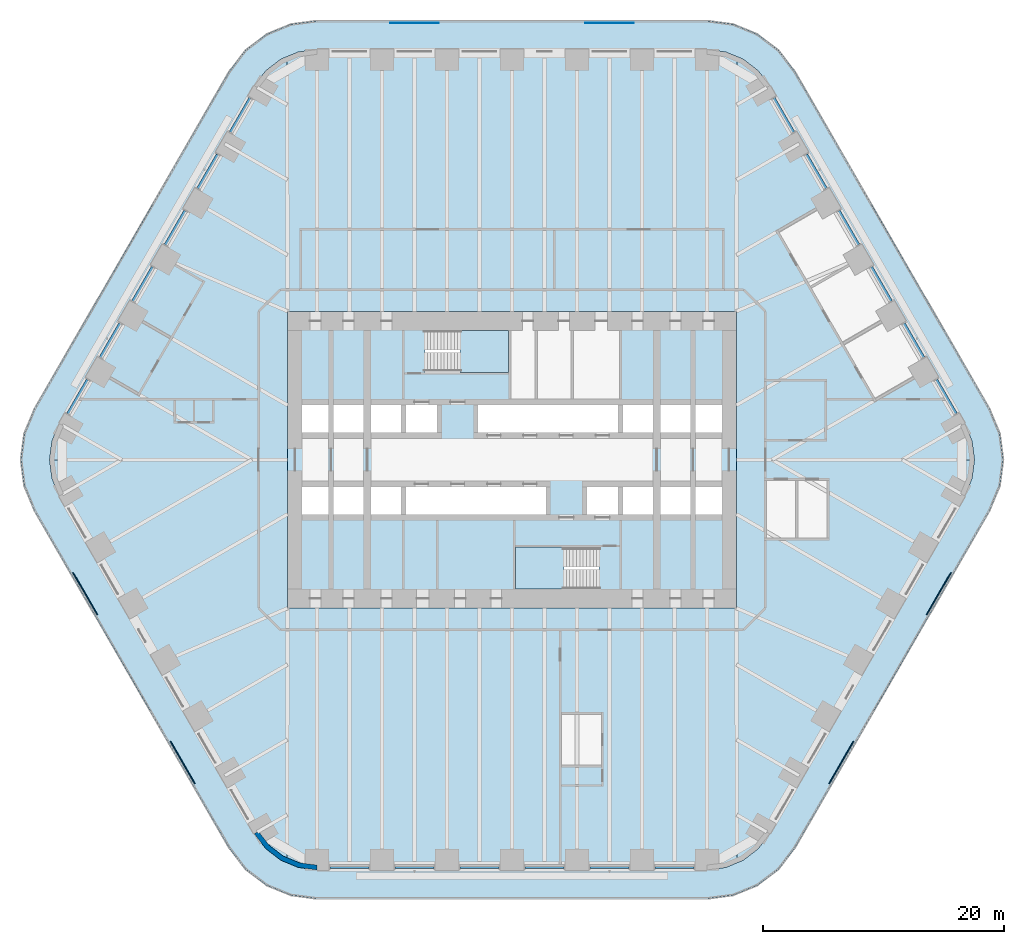
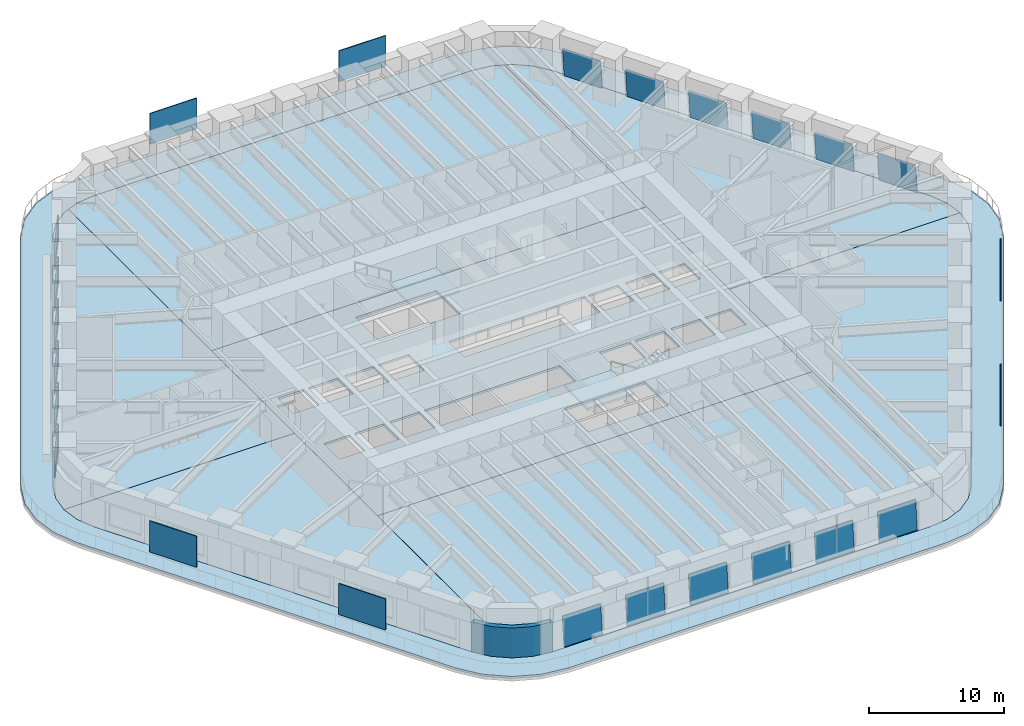
# One storey, part 15 of 23: 24 plates, 10 slabs, 1 wall, 20 elements without a shape of their own.
"""IFC4 building model written with IfcOpenShell, lengths in metres."""

from ifc_helpers import new_model, si_unit, direction, frame, origin, origin_2d, place, context, subcontext, project, spatial, polyline, rectangle, outline, extrude, material, layer, layer_set, type_object, element, aggregate, save


model = new_model("IFC4")

# Units and contexts
model_context = context("Model", 3, precision=1e-05, world=origin(), true_north=direction((0.0, 1.0)))
body_context = subcontext(model_context, "Body", "Model", "MODEL_VIEW")
ifc_project = project(units=[si_unit("LENGTHUNIT", "METRE"), si_unit("AREAUNIT", "SQUARE_METRE"), si_unit("VOLUMEUNIT", "CUBIC_METRE"), si_unit("PLANEANGLEUNIT", "RADIAN"), si_unit("MASSUNIT", "GRAM", prefix="KILO")], contexts=[model_context])

# Site, building, storey
site_placement = place(None, origin())
site = spatial("IfcSite", under=ifc_project, at=site_placement, CompositionType="ELEMENT")
building_placement = place(site_placement, origin())
building = spatial("IfcBuilding", under=site, at=building_placement, Name="Tarfa Lantern Tower", CompositionType="ELEMENT")
storey_placement = place(building_placement, frame((0.0, 0.0, 44.5)))
storey = spatial("IfcBuildingStorey", under=building, at=storey_placement, Name="L09", CompositionType="ELEMENT", Elevation=44.5)

# Slab
ifc_material_1 = material(Name="Concrete C40/50", Category="concrete")
ifc_layer_1 = layer(ifc_material_1, 0.199951171875)
ifc_layer_set_1 = layer_set([ifc_layer_1], Name="BS2 BALCONY SLAB 200")
slab_type_1 = type_object("IfcSlabType", Name="BS2 BALCONY SLAB 200", PredefinedType="FLOOR", material=ifc_layer_set_1)
slab_1_placement = place(storey_placement, frame((0.0, 0.0, -0.199951171875)))
element("IfcSlab", 1, at=slab_1_placement, inside=storey, type_object=slab_type_1, Name="Balcony L09", PredefinedType="FLOOR", context=body_context, shape_type="SweptSolid", body=[
    extrude(outline(polyline([(39.606201171875, 4.199951171875), (23.4404296875, 32.199951171875), (22.10546875, 33.939697265625), (20.36572265625, 35.274658203125), (18.33984375, 36.11376953125), (16.165771484375, 36.39990234375), (-16.165771484375, 36.39990234375), (-18.33984375, 36.11376953125), (-20.36572265625, 35.274658203125), (-22.10546875, 33.939697265625), (-23.4404296875, 32.199951171875), (-39.606201171875, 4.199951171875), (-40.4453125, 2.174072265625), (-40.731689453125, 0.0), (-40.4453125, -2.174072265625), (-39.606201171875, -4.199951171875), (-23.4404296875, -32.199951171875), (-22.10546875, -33.939697265625), (-20.36572265625, -35.274658203125), (-18.33984375, -36.11376953125), (-16.165771484375, -36.39990234375), (16.165771484375, -36.39990234375), (18.33984375, -36.11376953125), (20.36572265625, -35.274658203125), (22.10546875, -33.939697265625), (23.4404296875, -32.199951171875), (39.606201171875, -4.199951171875), (40.4453125, -2.174072265625), (40.731689453125, 0.0), (40.4453125, 2.174072265625), (39.606201171875, 4.199951171875)]), holes=[polyline([(37.52783203125, 3.0), (21.362060546875, 31.0), (20.408447265625, 32.24267578125), (19.165771484375, 33.196044921875), (17.71875, 33.795654296875), (16.165771484375, 34.0), (-16.165771484375, 34.0), (-17.71875, 33.795654296875), (-19.165771484375, 33.196044921875), (-20.408447265625, 32.24267578125), (-21.362060546875, 31.0), (-37.52783203125, 3.0), (-38.127197265625, 1.552978515625), (-38.33154296875, 0.0), (-38.127197265625, -1.552978515625), (-37.52783203125, -3.0), (-21.362060546875, -31.0), (-20.408447265625, -32.24267578125), (-19.165771484375, -33.196044921875), (-17.71875, -33.795654296875), (-16.165771484375, -34.0), (16.165771484375, -34.0), (17.71875, -33.795654296875), (19.165771484375, -33.196044921875), (20.408447265625, -32.24267578125), (21.362060546875, -31.0), (37.52783203125, -3.0), (38.127197265625, -1.552978515625), (38.33154296875, 0.0), (38.127197265625, 1.552978515625), (37.52783203125, 3.0)])]), origin(), (0.0, 0.0, 1.0), 0.199951171875),
])

# Curtain wall, plate
ifc_material_2 = material(Name="Aluminium framed curtain wall", Category="aluminium")
curtain_wall_type = type_object("IfcCurtainWallType", Name="CW1 CANTED GLAZING LOW ZONE 2700", PredefinedType="USERDEFINED", material=ifc_material_2)
curtain_wall_1_placement = place(storey_placement, origin())
curtain_wall_1 = element("IfcCurtainWall", 2, at=curtain_wall_1_placement, inside=storey, type_object=curtain_wall_type, Name="CW1 NE L09", ObjectType="CURTAIN WALL", PredefinedType="USERDEFINED")
ifc_material_3 = material(Name="Laminated double glazing", Category="glass")
ifc_layer_2 = layer(ifc_material_3, 0.028076171875)
ifc_layer_set_2 = layer_set([ifc_layer_2], Name="CWP1 DOUBLE GLAZED PANEL")
plate_type_1 = type_object("IfcPlateType", Name="CWP1 DOUBLE GLAZED PANEL", PredefinedType="CURTAIN_PANEL", material=ifc_layer_set_2)
plate_1_placement = place(storey_placement, frame((36.90869140625, 3.872314453125, 0.0), z_axis=(0.862338266797, 0.497864384763, 0.09221587717), x_axis=(-0.499995082658, 0.86602824279, 2.978908e-06)))
plate_1 = element("IfcPlate", 3, at=plate_1_placement, type_object=plate_type_1, Name="CW1 panel 1.1", PredefinedType="CURTAIN_PANEL", context=body_context, shape_type="SweptSolid", body=[
    extrude(outline(polyline([(0.0, 0.0), (3.258639560562134, 0.0), (3.2585208536427297, 2.646275738901332), (3.3621925729925773e-06, 2.646295235988971), (0.0, 0.0)])), origin(), (0.0, 0.0, -1.0), 0.028076171875),
])
aggregate(curtain_wall_1, [plate_1])

curtain_wall_2_placement = place(storey_placement, origin())
curtain_wall_2 = element("IfcCurtainWall", 4, at=curtain_wall_2_placement, inside=storey, type_object=curtain_wall_type, Name="CW1 NE L09", ObjectType="CURTAIN WALL", PredefinedType="USERDEFINED")
plate_2_placement = place(storey_placement, frame((34.21435546875, 8.5390625, 0.0), z_axis=(0.862325290636, 0.497894194109, 0.092176269198), x_axis=(-0.500022939057, 0.866012159509, 0.0)))
plate_2 = element("IfcPlate", 5, at=plate_2_placement, type_object=plate_type_1, Name="CW1 panel 1.1", PredefinedType="CURTAIN_PANEL", context=body_context, shape_type="SweptSolid", body=[
    extrude(outline(polyline([(0.0, 0.0), (3.2586395622623687, 0.0), (3.2585208519425555, 2.6462757409948594), (-0.0001187103198132533, 2.6462757409948594), (0.0, 0.0)])), origin(), (0.0, 0.0, -1.0), 0.028076171875),
])
aggregate(curtain_wall_2, [plate_2])

curtain_wall_3_placement = place(storey_placement, origin())
curtain_wall_3 = element("IfcCurtainWall", 6, at=curtain_wall_3_placement, inside=storey, type_object=curtain_wall_type, Name="CW1 NE L09", ObjectType="CURTAIN WALL", PredefinedType="USERDEFINED")
plate_3_placement = place(storey_placement, frame((31.52001953125, 13.20556640625, 0.0), z_axis=(0.862341934097, 0.49786650205, 0.092170140692), x_axis=(-0.499994605049, 0.866028518533, -2.977555e-06)))
plate_3 = element("IfcPlate", 7, at=plate_3_placement, type_object=plate_type_1, Name="CW1 panel 1.1", PredefinedType="CURTAIN_PANEL", context=body_context, shape_type="SweptSolid", body=[
    extrude(outline(polyline([(0.0, 0.0), (3.258517491508472, 2.7755575615628914e-17), (3.2587164564684317, 2.646283977845527), (7.689596458644864e-05, 2.6462644896978658), (0.0, 0.0)])), origin(), (0.0, 0.0, -1.0), 0.028076171875),
])
aggregate(curtain_wall_3, [plate_3])

curtain_wall_4_placement = place(storey_placement, origin())
curtain_wall_4 = element("IfcCurtainWall", 8, at=curtain_wall_4_placement, inside=storey, type_object=curtain_wall_type, Name="CW1 NE L09", ObjectType="CURTAIN WALL", PredefinedType="USERDEFINED")
plate_4_placement = place(storey_placement, frame((28.82568359375, 17.872314453125, 0.0), z_axis=(0.862338266797, 0.497864384763, 0.09221587717), x_axis=(-0.499994604812, 0.86602851867, -2.97902e-06)))
plate_4 = element("IfcPlate", 9, at=plate_4_placement, type_object=plate_type_1, Name="CW1 panel 1.1", PredefinedType="CURTAIN_PANEL", context=body_context, shape_type="SweptSolid", body=[
    extrude(outline(polyline([(0.0, 0.0), (3.2585174915084862, -2.7755575615628914e-17), (3.2585050197979823, 2.646295235961718), (-0.000134540705819584, 2.646275738143688), (0.0, 0.0)])), origin(), (0.0, 0.0, -1.0), 0.028076171875),
])
aggregate(curtain_wall_4, [plate_4])

curtain_wall_5_placement = place(storey_placement, origin())
curtain_wall_5 = element("IfcCurtainWall", 10, at=curtain_wall_5_placement, inside=storey, type_object=curtain_wall_type, Name="CW1 NE L09", ObjectType="CURTAIN WALL", PredefinedType="USERDEFINED")
plate_5_placement = place(storey_placement, frame((26.13134765625, 22.5390625, 0.0), z_axis=(0.862338266797, 0.497864384763, 0.09221587717), x_axis=(-0.499994604812, 0.86602851867, -2.97902e-06)))
plate_5 = element("IfcPlate", 11, at=plate_5_placement, type_object=plate_type_1, Name="CW1 panel 1.1", PredefinedType="CURTAIN_PANEL", context=body_context, shape_type="SweptSolid", body=[
    extrude(outline(polyline([(0.0, 0.0), (3.2585174915084862, -2.7755575615628914e-17), (3.2585050197979823, 2.646295235961718), (-0.000134540705819584, 2.646275738143688), (0.0, 0.0)])), origin(), (0.0, 0.0, -1.0), 0.028076171875),
])
aggregate(curtain_wall_5, [plate_5])

curtain_wall_6_placement = place(storey_placement, origin())
curtain_wall_6 = element("IfcCurtainWall", 12, at=curtain_wall_6_placement, inside=storey, type_object=curtain_wall_type, Name="CW1 NE L09", ObjectType="CURTAIN WALL", PredefinedType="USERDEFINED")
plate_6_placement = place(storey_placement, frame((23.437255859375, 27.20556640625, 0.0), z_axis=(0.862341934097, 0.49786650205, 0.092170140692), x_axis=(-0.499995082421, 0.866028242926, 2.977443e-06)))
plate_6 = element("IfcPlate", 13, at=plate_6_placement, type_object=plate_type_1, Name="CW1 panel 1.1", PredefinedType="CURTAIN_PANEL", context=body_context, shape_type="SweptSolid", body=[
    extrude(outline(polyline([(0.0, 0.0), (3.2586395605621195, -2.7755575615628914e-17), (3.2587322823927347, 2.64626448919067), (0.0002147909425344405, 2.6462839766083026), (0.0, 0.0)])), origin(), (0.0, 0.0, -1.0), 0.028076171875),
])
aggregate(curtain_wall_6, [plate_6])

curtain_wall_7_placement = place(storey_placement, origin())
curtain_wall_7 = element("IfcCurtainWall", 14, at=curtain_wall_7_placement, inside=storey, type_object=curtain_wall_type, Name="CW1 NW L09", ObjectType="CURTAIN WALL", PredefinedType="USERDEFINED")
plate_7_placement = place(storey_placement, frame((-21.807861328125, 30.027587890625, 0.0), z_axis=(-0.862341934097, 0.49786650205, 0.092170140692), x_axis=(-0.499995082421, -0.866028242926, -2.977443e-06)))
plate_7 = element("IfcPlate", 15, at=plate_7_placement, type_object=plate_type_1, Name="CW1 panel 1.1", PredefinedType="CURTAIN_PANEL", context=body_context, shape_type="SweptSolid", body=[
    extrude(outline(polyline([(0.0, 0.0), (3.2586395605621195, 2.7755575615628914e-17), (3.2584247696195847, 2.6462839766083026), (-9.272183061532521e-05, 2.64626448919067), (0.0, 0.0)])), origin(), (0.0, 0.0, -1.0), 0.028076171875),
])
aggregate(curtain_wall_7, [plate_7])

curtain_wall_8_placement = place(storey_placement, origin())
curtain_wall_8 = element("IfcCurtainWall", 16, at=curtain_wall_8_placement, inside=storey, type_object=curtain_wall_type, Name="CW1 NW L09", ObjectType="CURTAIN WALL", PredefinedType="USERDEFINED")
plate_8_placement = place(storey_placement, frame((-24.502197265625, 25.361083984375, 0.0), z_axis=(-0.862338266797, 0.497864384763, 0.09221587717), x_axis=(-0.499994604812, -0.86602851867, 2.97902e-06)))
plate_8 = element("IfcPlate", 17, at=plate_8_placement, type_object=plate_type_1, Name="CW1 panel 1.1", PredefinedType="CURTAIN_PANEL", context=body_context, shape_type="SweptSolid", body=[
    extrude(outline(polyline([(0.0, 0.0), (3.2585174915084862, 2.7755575615628914e-17), (3.2586520322143055, 2.646275738143688), (1.2471710504126e-05, 2.646295235961718), (0.0, 0.0)])), origin(), (0.0, 0.0, -1.0), 0.028076171875),
])
aggregate(curtain_wall_8, [plate_8])

curtain_wall_9_placement = place(storey_placement, origin())
curtain_wall_9 = element("IfcCurtainWall", 18, at=curtain_wall_9_placement, inside=storey, type_object=curtain_wall_type, Name="CW1 NW L09", ObjectType="CURTAIN WALL", PredefinedType="USERDEFINED")
plate_9_placement = place(storey_placement, frame((-27.196533203125, 20.6943359375, 0.0), z_axis=(-0.862338266797, 0.497864384763, 0.09221587717), x_axis=(-0.499994604812, -0.86602851867, 2.97902e-06)))
plate_9 = element("IfcPlate", 19, at=plate_9_placement, type_object=plate_type_1, Name="CW1 panel 1.1", PredefinedType="CURTAIN_PANEL", context=body_context, shape_type="SweptSolid", body=[
    extrude(outline(polyline([(0.0, 0.0), (3.2585174915084862, 2.7755575615628914e-17), (3.2586520322143055, 2.646275738143688), (1.2471710504126e-05, 2.646295235961718), (0.0, 0.0)])), origin(), (0.0, 0.0, -1.0), 0.028076171875),
])
aggregate(curtain_wall_9, [plate_9])

curtain_wall_10_placement = place(storey_placement, origin())
curtain_wall_10 = element("IfcCurtainWall", 20, at=curtain_wall_10_placement, inside=storey, type_object=curtain_wall_type, Name="CW1 NW L09", ObjectType="CURTAIN WALL", PredefinedType="USERDEFINED")
plate_10_placement = place(storey_placement, frame((-29.890869140625, 16.027587890625, 0.0), z_axis=(-0.862341934097, 0.49786650205, 0.092170140692), x_axis=(-0.499994605049, -0.866028518533, 2.977555e-06)))
plate_10 = element("IfcPlate", 21, at=plate_10_placement, type_object=plate_type_1, Name="CW1 panel 1.1", PredefinedType="CURTAIN_PANEL", context=body_context, shape_type="SweptSolid", body=[
    extrude(outline(polyline([(0.0, 0.0), (3.258517491508472, -2.7755575615628914e-17), (3.258440595543886, 2.6462644896978658), (-0.00019896495995976314, 2.646283977845527), (0.0, 0.0)])), origin(), (0.0, 0.0, -1.0), 0.028076171875),
])
aggregate(curtain_wall_10, [plate_10])

curtain_wall_11_placement = place(storey_placement, origin())
curtain_wall_11 = element("IfcCurtainWall", 22, at=curtain_wall_11_placement, inside=storey, type_object=curtain_wall_type, Name="CW1 NW L09", ObjectType="CURTAIN WALL", PredefinedType="USERDEFINED")
plate_11_placement = place(storey_placement, frame((-32.5849609375, 11.361083984375, 0.0), z_axis=(-0.862325290636, 0.497894194109, 0.092176269198), x_axis=(-0.500022939057, -0.866012159509, 0.0)))
plate_11 = element("IfcPlate", 23, at=plate_11_placement, type_object=plate_type_1, Name="CW1 panel 1.1", PredefinedType="CURTAIN_PANEL", context=body_context, shape_type="SweptSolid", body=[
    extrude(outline(polyline([(0.0, 0.0), (3.2586395622623687, 0.0), (3.258758272582182, 2.6462757409948594), (0.0001187103198132533, 2.6462757409948594), (0.0, 0.0)])), origin(), (0.0, 0.0, -1.0), 0.028076171875),
])
aggregate(curtain_wall_11, [plate_11])

curtain_wall_12_placement = place(storey_placement, origin())
curtain_wall_12 = element("IfcCurtainWall", 24, at=curtain_wall_12_placement, inside=storey, type_object=curtain_wall_type, Name="CW1 NW L09", ObjectType="CURTAIN WALL", PredefinedType="USERDEFINED")
plate_12_placement = place(storey_placement, frame((-35.279296875, 6.6943359375, 0.0), z_axis=(-0.862338266797, 0.497864384763, 0.09221587717), x_axis=(-0.499995082658, -0.86602824279, -2.978908e-06)))
plate_12 = element("IfcPlate", 25, at=plate_12_placement, type_object=plate_type_1, Name="CW1 panel 1.1", PredefinedType="CURTAIN_PANEL", context=body_context, shape_type="SweptSolid", body=[
    extrude(outline(polyline([(0.0, 0.0), (3.258639560562134, 0.0), (3.258636198369561, 2.646295235988971), (0.00011870691940396534, 2.646275738901332), (0.0, 0.0)])), origin(), (0.0, 0.0, -1.0), 0.028076171875),
])
aggregate(curtain_wall_12, [plate_12])

curtain_wall_13_placement = place(storey_placement, origin())
curtain_wall_13 = element("IfcCurtainWall", 26, at=curtain_wall_13_placement, inside=storey, type_object=curtain_wall_type, Name="CW1 S L09", ObjectType="CURTAIN WALL", PredefinedType="USERDEFINED")
plate_13_placement = place(storey_placement, frame((-15.100830078125, -33.89990234375, 0.0), z_axis=(0.0, -0.995743653657, 0.092166025202), x_axis=(1.0, 0.0, 0.0)))
plate_13 = element("IfcPlate", 27, at=plate_13_placement, type_object=plate_type_1, Name="CW1 panel 1.1", PredefinedType="CURTAIN_PANEL", context=body_context, shape_type="SweptSolid", body=[
    extrude(outline(polyline([(0.0, 0.0), (3.258544921875, 0.0), (3.258544921875, 2.6462732209712594), (0.0, 2.6462732209712594), (0.0, 0.0)])), origin(), (0.0, 0.0, -1.0), 0.028076171875),
])
aggregate(curtain_wall_13, [plate_13])

curtain_wall_14_placement = place(storey_placement, origin())
curtain_wall_14 = element("IfcCurtainWall", 28, at=curtain_wall_14_placement, inside=storey, type_object=curtain_wall_type, Name="CW1 S L09", ObjectType="CURTAIN WALL", PredefinedType="USERDEFINED")
plate_14_placement = place(storey_placement, frame((-9.712158203125, -33.89990234375, 0.0), z_axis=(0.0, -0.995743653657, 0.092166025202), x_axis=(1.0, 0.0, 0.0)))
plate_14 = element("IfcPlate", 29, at=plate_14_placement, type_object=plate_type_1, Name="CW1 panel 1.1", PredefinedType="CURTAIN_PANEL", context=body_context, shape_type="SweptSolid", body=[
    extrude(outline(polyline([(0.0, 0.0), (3.258544921875, 0.0), (3.258544921875, 2.6462732209712594), (0.0, 2.6462732209712594), (0.0, 0.0)])), origin(), (0.0, 0.0, -1.0), 0.028076171875),
])
aggregate(curtain_wall_14, [plate_14])

curtain_wall_15_placement = place(storey_placement, origin())
curtain_wall_15 = element("IfcCurtainWall", 30, at=curtain_wall_15_placement, inside=storey, type_object=curtain_wall_type, Name="CW1 S L09", ObjectType="CURTAIN WALL", PredefinedType="USERDEFINED")
plate_15_placement = place(storey_placement, frame((-4.323486328125, -33.89990234375, 0.0), z_axis=(0.0, -0.995743653657, 0.092166025202), x_axis=(1.0, 0.0, 0.0)))
plate_15 = element("IfcPlate", 31, at=plate_15_placement, type_object=plate_type_1, Name="CW1 panel 1.1", PredefinedType="CURTAIN_PANEL", context=body_context, shape_type="SweptSolid", body=[
    extrude(outline(polyline([(0.0, 0.0), (3.258544921875, 0.0), (3.258544921875, 2.6462732209712594), (0.0, 2.6462732209712594), (0.0, 0.0)])), origin(), (0.0, 0.0, -1.0), 0.028076171875),
])
aggregate(curtain_wall_15, [plate_15])

curtain_wall_16_placement = place(storey_placement, origin())
curtain_wall_16 = element("IfcCurtainWall", 32, at=curtain_wall_16_placement, inside=storey, type_object=curtain_wall_type, Name="CW1 S L09", ObjectType="CURTAIN WALL", PredefinedType="USERDEFINED")
plate_16_placement = place(storey_placement, frame((1.06494140625, -33.89990234375, 0.0), z_axis=(0.0, -0.995743653657, 0.092166025202), x_axis=(1.0, 0.0, 0.0)))
plate_16 = element("IfcPlate", 33, at=plate_16_placement, type_object=plate_type_1, Name="CW1 panel 1.1", PredefinedType="CURTAIN_PANEL", context=body_context, shape_type="SweptSolid", body=[
    extrude(outline(polyline([(0.0, 0.0), (3.258544921875, 0.0), (3.258544921875, 2.6462732209712594), (0.0, 2.6462732209712594), (0.0, 0.0)])), origin(), (0.0, 0.0, -1.0), 0.028076171875),
])
aggregate(curtain_wall_16, [plate_16])

curtain_wall_17_placement = place(storey_placement, origin())
curtain_wall_17 = element("IfcCurtainWall", 34, at=curtain_wall_17_placement, inside=storey, type_object=curtain_wall_type, Name="CW1 S L09", ObjectType="CURTAIN WALL", PredefinedType="USERDEFINED")
plate_17_placement = place(storey_placement, frame((6.45361328125, -33.89990234375, 0.0), z_axis=(0.0, -0.995743653657, 0.092166025202), x_axis=(1.0, 0.0, 0.0)))
plate_17 = element("IfcPlate", 35, at=plate_17_placement, type_object=plate_type_1, Name="CW1 panel 1.1", PredefinedType="CURTAIN_PANEL", context=body_context, shape_type="SweptSolid", body=[
    extrude(outline(polyline([(0.0, 0.0), (3.258544921875, 0.0), (3.258544921875, 2.6462732209712594), (0.0, 2.6462732209712594), (0.0, 0.0)])), origin(), (0.0, 0.0, -1.0), 0.028076171875),
])
aggregate(curtain_wall_17, [plate_17])

curtain_wall_18_placement = place(storey_placement, origin())
curtain_wall_18 = element("IfcCurtainWall", 36, at=curtain_wall_18_placement, inside=storey, type_object=curtain_wall_type, Name="CW1 S L09", ObjectType="CURTAIN WALL", PredefinedType="USERDEFINED")
plate_18_placement = place(storey_placement, frame((11.84228515625, -33.89990234375, 0.0), z_axis=(0.0, -0.995743653657, 0.092166025202), x_axis=(1.0, 0.0, 0.0)))
plate_18 = element("IfcPlate", 37, at=plate_18_placement, type_object=plate_type_1, Name="CW1 panel 1.1", PredefinedType="CURTAIN_PANEL", context=body_context, shape_type="SweptSolid", body=[
    extrude(outline(polyline([(0.0, 0.0), (3.258544921875, 0.0), (3.258544921875, 2.6462732209712594), (0.0, 2.6462732209712594), (0.0, 0.0)])), origin(), (0.0, 0.0, -1.0), 0.028076171875),
])
aggregate(curtain_wall_18, [plate_18])

# Slabs
ifc_layer_3 = layer(ifc_material_1, 0.199951171875)
ifc_layer_set_3 = layer_set([ifc_layer_3], Name="FS1 FLOOR SLAB 200")
slab_type_2 = type_object("IfcSlabType", Name="FS1 FLOOR SLAB 200", PredefinedType="FLOOR", material=ifc_layer_set_3)
slab_2_placement = place(storey_placement, frame((0.0, 0.0, -0.199951171875)))
element("IfcSlab", 38, at=slab_2_placement, inside=storey, type_object=slab_type_2, Name="Floor slab L09", PredefinedType="FLOOR", context=body_context, shape_type="SweptSolid", body=[
    extrude(outline(polyline([(-18.60009765625, -12.300048828125), (18.60009765625, -12.300048828125), (18.60009765625, 12.300048828125), (-18.60009765625, 12.300048828125), (-18.60009765625, -12.300048828125)]), holes=[polyline([(-17.39990234375, 2.25), (-15.199951171875, 2.25), (-15.199951171875, 4.550048828125), (-17.39990234375, 4.550048828125), (-17.39990234375, 2.25)]), polyline([(-14.800048828125, 2.25), (-12.300048828125, 2.25), (-12.300048828125, 4.550048828125), (-14.800048828125, 4.550048828125), (-14.800048828125, 2.25)]), polyline([(-11.699951171875, 2.25), (-9.199951171875, 2.25), (-9.199951171875, 4.550048828125), (-11.699951171875, 4.550048828125), (-11.699951171875, 2.25)]), polyline([(-8.800048828125, 2.25), (-6.199951171875, 2.25), (-6.199951171875, 4.550048828125), (-8.800048828125, 4.550048828125), (-8.800048828125, 2.25)]), polyline([(-2.800048828125, 2.25), (8.800048828125, 2.25), (8.800048828125, 4.550048828125), (-2.800048828125, 4.550048828125), (-2.800048828125, 2.25)]), polyline([(9.199951171875, 2.25), (11.699951171875, 2.25), (11.699951171875, 4.550048828125), (9.199951171875, 4.550048828125), (9.199951171875, 2.25)]), polyline([(12.300048828125, 2.25), (14.800048828125, 2.25), (14.800048828125, 4.550048828125), (12.300048828125, 4.550048828125), (12.300048828125, 2.25)]), polyline([(15.199951171875, 2.25), (17.39990234375, 2.25), (17.39990234375, 4.550048828125), (15.199951171875, 4.550048828125), (15.199951171875, 2.25)]), polyline([(17.39990234375, -2.25), (15.199951171875, -2.25), (15.199951171875, -4.550048828125), (17.39990234375, -4.550048828125), (17.39990234375, -2.25)]), polyline([(14.800048828125, -2.25), (12.300048828125, -2.25), (12.300048828125, -4.550048828125), (14.800048828125, -4.550048828125), (14.800048828125, -2.25)]), polyline([(11.699951171875, -2.25), (9.199951171875, -2.25), (9.199951171875, -4.550048828125), (11.699951171875, -4.550048828125), (11.699951171875, -2.25)]), polyline([(8.800048828125, -2.25), (6.199951171875, -2.25), (6.199951171875, -4.550048828125), (8.800048828125, -4.550048828125), (8.800048828125, -2.25)]), polyline([(2.800048828125, -2.25), (-8.800048828125, -2.25), (-8.800048828125, -4.550048828125), (2.800048828125, -4.550048828125), (2.800048828125, -2.25)]), polyline([(-9.199951171875, -2.25), (-11.699951171875, -2.25), (-11.699951171875, -4.550048828125), (-9.199951171875, -4.550048828125), (-9.199951171875, -2.25)]), polyline([(-12.300048828125, -2.25), (-14.800048828125, -2.25), (-14.800048828125, -4.550048828125), (-12.300048828125, -4.550048828125), (-12.300048828125, -2.25)]), polyline([(-15.199951171875, -2.25), (-17.39990234375, -2.25), (-17.39990234375, -4.550048828125), (-15.199951171875, -4.550048828125), (-15.199951171875, -2.25)]), polyline([(-7.199951171875, 7.25), (-0.300048828125, 7.25), (-0.300048828125, 10.699951171875), (-7.199951171875, 10.699951171875), (-7.199951171875, 7.25)]), polyline([(7.199951171875, -7.25), (0.300048828125, -7.25), (0.300048828125, -10.699951171875), (7.199951171875, -10.699951171875), (7.199951171875, -7.25)])]), origin(), (0.0, 0.0, 1.0), 0.199951171875),
])
slab_3_placement = place(storey_placement, frame((0.0, 0.0, -0.199951171875)))
element("IfcSlab", 39, at=slab_3_placement, inside=storey, type_object=slab_type_2, Name="Floor slab L09 NE bay", PredefinedType="FLOOR", context=body_context, shape_type="SweptSolid", body=[
    extrude(outline(polyline([(37.52587890625, 2.9990234375), (21.3603515625, 30.998779296875), (20.406982421875, 32.2412109375), (19.164794921875, 33.1943359375), (18.64697265625, 33.408935546875), (18.60205078125, 12.300048828125), (18.60205078125, 0.001953125), (38.329345703125, 0.001953125), (38.125244140625, 1.552490234375), (37.52587890625, 2.9990234375)])), origin(), (0.0, 0.0, 1.0), 0.199951171875),
])
slab_4_placement = place(storey_placement, frame((0.0, 0.0, -0.199951171875)))
element("IfcSlab", 40, at=slab_4_placement, inside=storey, type_object=slab_type_2, Name="Floor slab L09 N bay", PredefinedType="FLOOR", context=body_context, shape_type="SweptSolid", body=[
    extrude(outline(polyline([(-18.597900390625, 12.302001953125), (18.597900390625, 12.302001953125), (18.64306640625, 33.41064453125), (17.71826171875, 33.793701171875), (16.165771484375, 33.998046875), (-16.165771484375, 33.998046875), (-17.71826171875, 33.793701171875), (-18.64306640625, 33.41064453125), (-18.597900390625, 12.302001953125)])), origin(), (0.0, 0.0, 1.0), 0.199951171875),
])
slab_5_placement = place(storey_placement, frame((0.0, 0.0, -0.199951171875)))
element("IfcSlab", 41, at=slab_5_placement, inside=storey, type_object=slab_type_2, Name="Floor slab L09 NW bay", PredefinedType="FLOOR", context=body_context, shape_type="SweptSolid", body=[
    extrude(outline(polyline([(-18.60205078125, 0.001953125), (-18.60205078125, 12.300048828125), (-18.64697265625, 33.408935546875), (-19.164794921875, 33.1943359375), (-20.406982421875, 32.2412109375), (-21.3603515625, 30.998779296875), (-37.52587890625, 2.9990234375), (-38.125244140625, 1.552490234375), (-38.329345703125, 0.001953125), (-18.60205078125, 0.001953125)])), origin(), (0.0, 0.0, 1.0), 0.199951171875),
])
slab_6_placement = place(storey_placement, frame((0.0, 0.0, -0.199951171875)))
element("IfcSlab", 42, at=slab_6_placement, inside=storey, type_object=slab_type_2, Name="Floor slab L09 SW bay", PredefinedType="FLOOR", context=body_context, shape_type="SweptSolid", body=[
    extrude(outline(polyline([(-18.60205078125, -12.300048828125), (-18.60205078125, -0.001953125), (-38.329345703125, -0.001953125), (-38.125244140625, -1.552490234375), (-37.52587890625, -2.9990234375), (-21.3603515625, -30.998779296875), (-20.406982421875, -32.2412109375), (-19.164794921875, -33.1943359375), (-18.64697265625, -33.408935546875), (-18.60205078125, -12.300048828125)])), origin(), (0.0, 0.0, 1.0), 0.199951171875),
])
slab_7_placement = place(storey_placement, frame((0.0, 0.0, -0.199951171875)))
element("IfcSlab", 43, at=slab_7_placement, inside=storey, type_object=slab_type_2, Name="Floor slab L09 S bay", PredefinedType="FLOOR", context=body_context, shape_type="SweptSolid", body=[
    extrude(outline(polyline([(18.597900390625, -12.302001953125), (-18.597900390625, -12.302001953125), (-18.64306640625, -33.41064453125), (-17.71826171875, -33.793701171875), (-16.165771484375, -33.998046875), (16.165771484375, -33.998046875), (17.71826171875, -33.793701171875), (18.64306640625, -33.41064453125), (18.597900390625, -12.302001953125)])), origin(), (0.0, 0.0, 1.0), 0.199951171875),
])
slab_8_placement = place(storey_placement, frame((0.0, 0.0, -0.199951171875)))
element("IfcSlab", 44, at=slab_8_placement, inside=storey, type_object=slab_type_2, Name="Floor slab L09 SE bay", PredefinedType="FLOOR", context=body_context, shape_type="SweptSolid", body=[
    extrude(outline(polyline([(18.60205078125, -0.001953125), (18.60205078125, -12.300048828125), (18.64697265625, -33.408935546875), (19.164794921875, -33.1943359375), (20.406982421875, -32.2412109375), (21.3603515625, -30.998779296875), (37.52587890625, -2.9990234375), (38.125244140625, -1.552490234375), (38.329345703125, -0.001953125), (18.60205078125, -0.001953125)])), origin(), (0.0, 0.0, 1.0), 0.199951171875),
])

# Plates
ifc_material_4 = material(Name="Perforated limestone screen", Category="masonry")
ifc_layer_4 = layer(ifc_material_4, 0.080078125)
ifc_layer_set_4 = layer_set([ifc_layer_4], Name="SC1 STONE SCREEN 80")
plate_type_2 = type_object("IfcPlateType", Name="SC1 STONE SCREEN 80", PredefinedType="USERDEFINED", material=ifc_layer_set_4)
for number, where, z_axis, x_axis, name in (
    (45, (8.0830078125, 36.199951171875, 1.2001953125), (0.0, 0.0, 1.0), (-1.0, 0.0, 0.0), "Stone screen N 1"),
    (46, (-8.0830078125, 36.199951171875, 1.2001953125), (0.0, 0.0, 1.0), (-1.0, 0.0, 0.0), "Stone screen N 2"),
    (47, (-35.3916015625, -11.10009765625, 1.2001953125), (0.0, 0.0, 1.0), (0.5, -0.866025403784, 0.0), "Stone screen SW 1"),
    (48, (-27.30859375, -25.10009765625, 1.2001953125), (0.0, 0.0, 1.0), (0.5, -0.866025403784, 0.0), "Stone screen SW 2"),
    (49, (27.30859375, -25.10009765625, 1.2001953125), (0.0, 0.0, 1.0), (0.5, 0.866025403784, 0.0), "Stone screen SE 1"),
    (50, (35.3916015625, -11.10009765625, 1.2001953125), (0.0, 0.0, 1.0), (0.5, 0.866025403784, 0.0), "Stone screen SE 2"),
):
    element("IfcPlate", number, at=place(storey_placement, frame(where, z_axis=z_axis, x_axis=x_axis)), inside=storey, type_object=plate_type_2, Name=name, ObjectType="SCREEN", PredefinedType="USERDEFINED", context=body_context, shape_type="SweptSolid", body=[
        extrude(rectangle(XDim=4.0, YDim=0.080078125, at=origin_2d()), origin(), (0.0, 0.0, 1.0), 2.800048828125),
    ])

# Stair, slab
stair_type = type_object("IfcStairType", Name="ST-T10 HALF-TURN STAIR 4200 RISE", PredefinedType="HALF_TURN_STAIR", material=ifc_material_1)
stair_1_placement = place(storey_placement, origin())
stair_1 = element("IfcStair", 51, at=stair_1_placement, inside=storey, type_object=stair_type, Name="Stair ST1", PredefinedType="HALF_TURN_STAIR")
ifc_layer_5 = layer(ifc_material_1, 0.199951171875)
ifc_layer_set_5 = layer_set([ifc_layer_5], Name="SL1 STAIR LANDING 200")
slab_type_3 = type_object("IfcSlabType", Name="SL1 STAIR LANDING 200", PredefinedType="LANDING", material=ifc_layer_set_5)
slab_9_placement = place(storey_placement, frame((0.0, 0.0, 1.89990234375)))
slab_9 = element("IfcSlab", 52, at=slab_9_placement, type_object=slab_type_3, Name="ST1 landing 1", PredefinedType="LANDING", context=body_context, shape_type="SweptSolid", body=[
    extrude(outline(polyline([(-4.320068359375, 7.25), (-0.300048828125, 7.25), (-0.300048828125, 10.699951171875), (-4.320068359375, 10.699951171875), (-4.320068359375, 7.25)])), origin(), (0.0, 0.0, 1.0), 0.2001953125),
])
aggregate(stair_1, [slab_9])

stair_2_placement = place(storey_placement, origin())
stair_2 = element("IfcStair", 53, at=stair_2_placement, inside=storey, type_object=stair_type, Name="Stair ST2", PredefinedType="HALF_TURN_STAIR")
slab_10_placement = place(storey_placement, frame((0.0, 0.0, 1.89990234375)))
slab_10 = element("IfcSlab", 54, at=slab_10_placement, type_object=slab_type_3, Name="ST2 landing 1", PredefinedType="LANDING", context=body_context, shape_type="SweptSolid", body=[
    extrude(outline(polyline([(4.320068359375, -7.25), (0.300048828125, -7.25), (0.300048828125, -10.699951171875), (4.320068359375, -10.699951171875), (4.320068359375, -7.25)])), origin(), (0.0, 0.0, 1.0), 0.2001953125),
])
aggregate(stair_2, [slab_10])

# Wall
ifc_material_5 = material(Name="Limestone cladding on blockwork", Category="masonry")
ifc_layer_6 = layer(ifc_material_5, 0.39990234375)
ifc_layer_set_6 = layer_set([ifc_layer_6], Name="EW2 CURVED STONE CORNER 400")
wall_type = type_object("IfcWallType", Name="EW2 CURVED STONE CORNER 400", PredefinedType="SOLIDWALL", material=ifc_layer_set_6)
wall_placement = place(storey_placement, origin())
element("IfcWall", 55, at=wall_placement, inside=storey, type_object=wall_type, Name="Stone corner SW-S", PredefinedType="SOLIDWALL", context=body_context, shape_type="SweptSolid", body=[
    extrude(outline(polyline([(-21.362060546875, -31.0), (-20.408447265625, -32.24267578125), (-19.165771484375, -33.196044921875), (-17.71875, -33.795654296875), (-16.165771484375, -34.0), (-16.165771484375, -33.60009765625), (-17.615234375, -33.4091796875), (-18.9658203125, -32.849853515625), (-20.12548828125, -31.959716796875), (-21.015625, -30.800048828125), (-21.362060546875, -31.0)])), origin(), (0.0, 0.0, 1.0), 2.699951171875),
])

save(model, "model.ifc")
